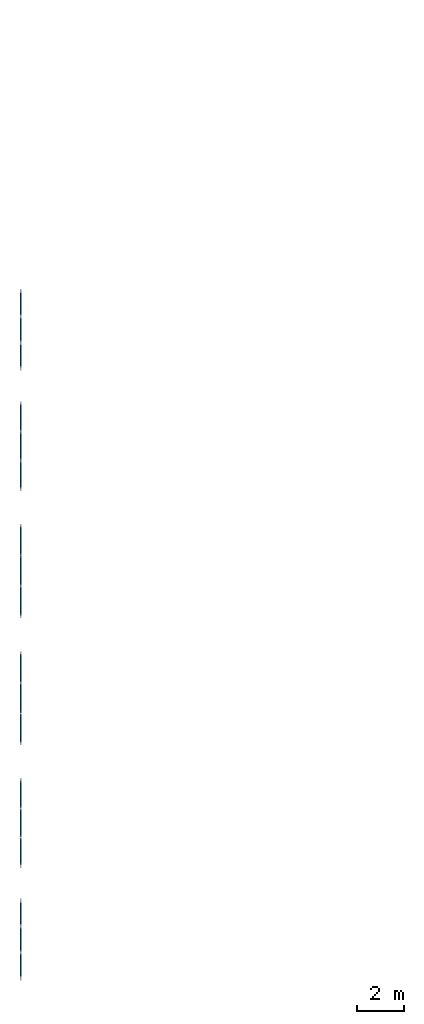
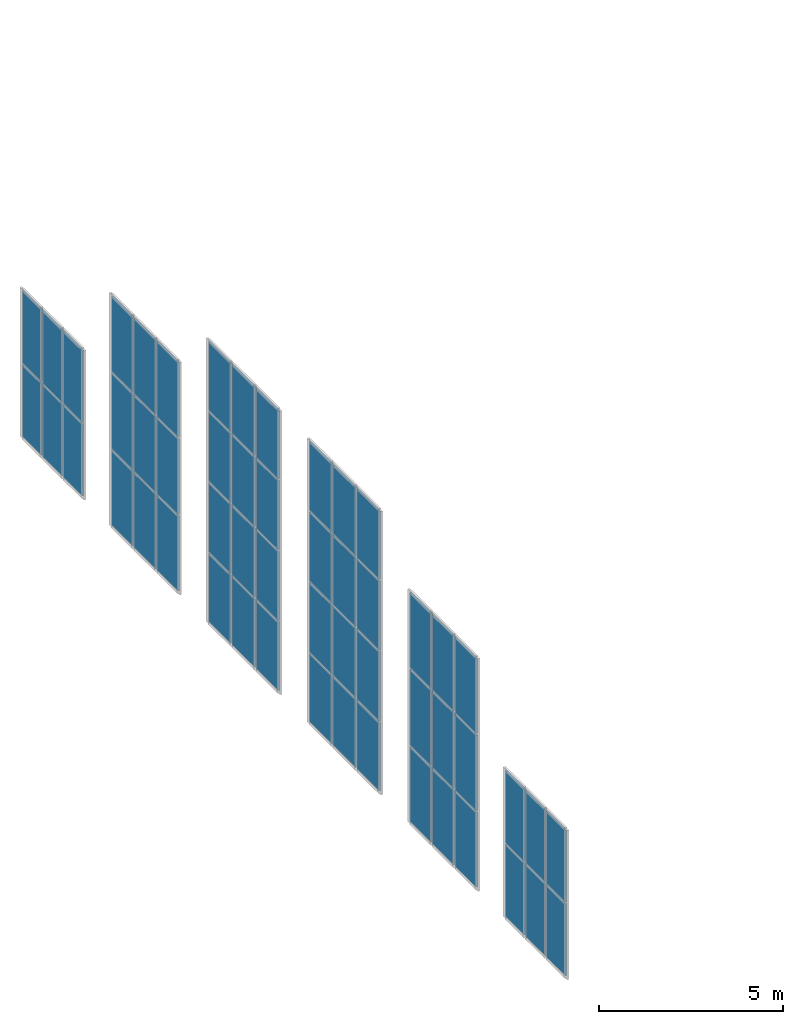
# One storey, part 10 of 19: 54 plates, 6 elements without a shape of their own.
"""IFC4 building model written with IfcOpenShell, lengths in metres."""

from ifc_helpers import new_model, si_unit, direction, frame, origin, origin_2d, place, context, subcontext, project, spatial, rectangle, extrude, material, layer, layer_set, type_object, element, aggregate, save


model = new_model("IFC4")

# Units and contexts
model_context = context("Model", 3, precision=1e-05, world=origin(), true_north=direction((0.0, 1.0)))
body_context = subcontext(model_context, "Body", "Model", "MODEL_VIEW")
ifc_project = project(units=[si_unit("LENGTHUNIT", "METRE"), si_unit("AREAUNIT", "SQUARE_METRE"), si_unit("VOLUMEUNIT", "CUBIC_METRE"), si_unit("PLANEANGLEUNIT", "RADIAN"), si_unit("MASSUNIT", "GRAM", prefix="KILO")], contexts=[model_context])

# Site, building, storey
site_placement = place(None, origin())
site = spatial("IfcSite", under=ifc_project, at=site_placement, CompositionType="ELEMENT")
building_placement = place(site_placement, origin())
building = spatial("IfcBuilding", under=site, at=building_placement, Name="Vermilion Court Aquatics Centre", CompositionType="ELEMENT")
storey_placement = place(building_placement, frame((0.0, 0.0, 19.89990234375)))
storey = spatial("IfcBuildingStorey", under=building, at=storey_placement, Name="L04", CompositionType="ELEMENT", Elevation=19.89990234375)

# Curtain wall, plates
ifc_material_1 = material(Name="Aluminium 6063-T5", Category="aluminium")
curtain_wall_type = type_object("IfcCurtainWallType", Name="Envelope curtain wall west gable upper runs", PredefinedType="NOTDEFINED", material=ifc_material_1)
curtain_wall_1_placement = place(storey_placement, origin())
curtain_wall_1 = element("IfcCurtainWall", 1, at=curtain_wall_1_placement, inside=storey, type_object=curtain_wall_type, Name="Gable glazing west 4.3", PredefinedType="NOTDEFINED")
ifc_material_2 = material(Name="Glazing", Category="glass")
ifc_layer = layer(ifc_material_2, 0.050048828125)
ifc_layer_set = layer_set([ifc_layer], Name="Envelope triple glazing panel 50")
plate_type = type_object("IfcPlateType", Name="Envelope triple glazing panel 50", PredefinedType="CURTAIN_PANEL", material=ifc_layer_set)
plate_1_placement = place(storey_placement, frame((14.125, 25.3984375, 0.06005859375), z_axis=(0.0, 0.0, 1.0), x_axis=(0.0, 1.0, 0.0)))
plate_1 = element("IfcPlate", 2, at=plate_1_placement, type_object=plate_type, Name="ECW4 panel 1.1", PredefinedType="CURTAIN_PANEL", context=body_context, shape_type="SweptSolid", body=[
    extrude(rectangle(XDim=1.03662109375, YDim=0.050048828125, at=origin_2d()), origin(), (0.0, 0.0, 1.0), 2.379150390625),
])
plate_2_placement = place(storey_placement, frame((14.125, 25.3984375, 2.49951171875), z_axis=(0.0, 0.0, 1.0), x_axis=(0.0, 1.0, 0.0)))
plate_2 = element("IfcPlate", 3, at=plate_2_placement, type_object=plate_type, Name="ECW4 panel 1.2", PredefinedType="CURTAIN_PANEL", context=body_context, shape_type="SweptSolid", body=[
    extrude(rectangle(XDim=1.03662109375, YDim=0.050048828125, at=origin_2d()), origin(), (0.0, 0.0, 1.0), 2.379150390625),
])
plate_3_placement = place(storey_placement, frame((14.125, 26.510009765625, 0.06005859375), z_axis=(0.0, 0.0, 1.0), x_axis=(0.0, 1.0, 0.0)))
plate_3 = element("IfcPlate", 4, at=plate_3_placement, type_object=plate_type, Name="ECW4 panel 2.1", PredefinedType="CURTAIN_PANEL", context=body_context, shape_type="SweptSolid", body=[
    extrude(rectangle(XDim=1.066650390625, YDim=0.050048828125, at=origin_2d()), origin(), (0.0, 0.0, 1.0), 2.379150390625),
])
plate_4_placement = place(storey_placement, frame((14.125, 26.510009765625, 2.49951171875), z_axis=(0.0, 0.0, 1.0), x_axis=(0.0, 1.0, 0.0)))
plate_4 = element("IfcPlate", 5, at=plate_4_placement, type_object=plate_type, Name="ECW4 panel 2.2", PredefinedType="CURTAIN_PANEL", context=body_context, shape_type="SweptSolid", body=[
    extrude(rectangle(XDim=1.066650390625, YDim=0.050048828125, at=origin_2d()), origin(), (0.0, 0.0, 1.0), 2.379150390625),
])
plate_5_placement = place(storey_placement, frame((14.125, 27.62158203125, 0.06005859375), z_axis=(0.0, 0.0, 1.0), x_axis=(0.0, 1.0, 0.0)))
plate_5 = element("IfcPlate", 6, at=plate_5_placement, type_object=plate_type, Name="ECW4 panel 3.1", PredefinedType="CURTAIN_PANEL", context=body_context, shape_type="SweptSolid", body=[
    extrude(rectangle(XDim=1.03662109375, YDim=0.050048828125, at=origin_2d()), origin(), (0.0, 0.0, 1.0), 2.379150390625),
])
plate_6_placement = place(storey_placement, frame((14.125, 27.62158203125, 2.49951171875), z_axis=(0.0, 0.0, 1.0), x_axis=(0.0, 1.0, 0.0)))
plate_6 = element("IfcPlate", 7, at=plate_6_placement, type_object=plate_type, Name="ECW4 panel 3.2", PredefinedType="CURTAIN_PANEL", context=body_context, shape_type="SweptSolid", body=[
    extrude(rectangle(XDim=1.03662109375, YDim=0.050048828125, at=origin_2d()), origin(), (0.0, 0.0, 1.0), 2.379150390625),
])
aggregate(curtain_wall_1, [plate_1, plate_2, plate_3, plate_4, plate_5, plate_6])

curtain_wall_2_placement = place(storey_placement, origin())
curtain_wall_2 = element("IfcCurtainWall", 8, at=curtain_wall_2_placement, inside=storey, type_object=curtain_wall_type, Name="Gable glazing west 5.3", PredefinedType="NOTDEFINED")
plate_7_placement = place(storey_placement, frame((14.125, 30.28662109375, 0.06005859375), z_axis=(0.0, 0.0, 1.0), x_axis=(0.0, 1.0, 0.0)))
plate_7 = element("IfcPlate", 9, at=plate_7_placement, type_object=plate_type, Name="ECW4 panel 1.1", PredefinedType="CURTAIN_PANEL", context=body_context, shape_type="SweptSolid", body=[
    extrude(rectangle(XDim=1.1533203125, YDim=0.050048828125, at=origin_2d()), origin(), (0.0, 0.0, 1.0), 2.47314453125),
])
plate_8_placement = place(storey_placement, frame((14.125, 30.28662109375, 2.59326171875), z_axis=(0.0, 0.0, 1.0), x_axis=(0.0, 1.0, 0.0)))
plate_8 = element("IfcPlate", 10, at=plate_8_placement, type_object=plate_type, Name="ECW4 panel 1.2", PredefinedType="CURTAIN_PANEL", context=body_context, shape_type="SweptSolid", body=[
    extrude(rectangle(XDim=1.1533203125, YDim=0.050048828125, at=origin_2d()), origin(), (0.0, 0.0, 1.0), 2.503173828125),
])
plate_9_placement = place(storey_placement, frame((14.125, 30.28662109375, 5.156494140625), z_axis=(0.0, 0.0, 1.0), x_axis=(0.0, 1.0, 0.0)))
plate_9 = element("IfcPlate", 11, at=plate_9_placement, type_object=plate_type, Name="ECW4 panel 1.3", PredefinedType="CURTAIN_PANEL", context=body_context, shape_type="SweptSolid", body=[
    extrude(rectangle(XDim=1.1533203125, YDim=0.050048828125, at=origin_2d()), origin(), (0.0, 0.0, 1.0), 2.47314453125),
])
plate_10_placement = place(storey_placement, frame((14.125, 31.514892578125, 0.06005859375), z_axis=(0.0, 0.0, 1.0), x_axis=(0.0, 1.0, 0.0)))
plate_10 = element("IfcPlate", 12, at=plate_10_placement, type_object=plate_type, Name="ECW4 panel 2.1", PredefinedType="CURTAIN_PANEL", context=body_context, shape_type="SweptSolid", body=[
    extrude(rectangle(XDim=1.183349609375, YDim=0.050048828125, at=origin_2d()), origin(), (0.0, 0.0, 1.0), 2.47314453125),
])
plate_11_placement = place(storey_placement, frame((14.125, 31.514892578125, 2.59326171875), z_axis=(0.0, 0.0, 1.0), x_axis=(0.0, 1.0, 0.0)))
plate_11 = element("IfcPlate", 13, at=plate_11_placement, type_object=plate_type, Name="ECW4 panel 2.2", PredefinedType="CURTAIN_PANEL", context=body_context, shape_type="SweptSolid", body=[
    extrude(rectangle(XDim=1.183349609375, YDim=0.050048828125, at=origin_2d()), origin(), (0.0, 0.0, 1.0), 2.503173828125),
])
plate_12_placement = place(storey_placement, frame((14.125, 31.514892578125, 5.156494140625), z_axis=(0.0, 0.0, 1.0), x_axis=(0.0, 1.0, 0.0)))
plate_12 = element("IfcPlate", 14, at=plate_12_placement, type_object=plate_type, Name="ECW4 panel 2.3", PredefinedType="CURTAIN_PANEL", context=body_context, shape_type="SweptSolid", body=[
    extrude(rectangle(XDim=1.183349609375, YDim=0.050048828125, at=origin_2d()), origin(), (0.0, 0.0, 1.0), 2.47314453125),
])
plate_13_placement = place(storey_placement, frame((14.125, 32.743408203125, 0.06005859375), z_axis=(0.0, 0.0, 1.0), x_axis=(0.0, 1.0, 0.0)))
plate_13 = element("IfcPlate", 15, at=plate_13_placement, type_object=plate_type, Name="ECW4 panel 3.1", PredefinedType="CURTAIN_PANEL", context=body_context, shape_type="SweptSolid", body=[
    extrude(rectangle(XDim=1.1533203125, YDim=0.050048828125, at=origin_2d()), origin(), (0.0, 0.0, 1.0), 2.47314453125),
])
plate_14_placement = place(storey_placement, frame((14.125, 32.743408203125, 2.59326171875), z_axis=(0.0, 0.0, 1.0), x_axis=(0.0, 1.0, 0.0)))
plate_14 = element("IfcPlate", 16, at=plate_14_placement, type_object=plate_type, Name="ECW4 panel 3.2", PredefinedType="CURTAIN_PANEL", context=body_context, shape_type="SweptSolid", body=[
    extrude(rectangle(XDim=1.1533203125, YDim=0.050048828125, at=origin_2d()), origin(), (0.0, 0.0, 1.0), 2.503173828125),
])
plate_15_placement = place(storey_placement, frame((14.125, 32.743408203125, 5.156494140625), z_axis=(0.0, 0.0, 1.0), x_axis=(0.0, 1.0, 0.0)))
plate_15 = element("IfcPlate", 17, at=plate_15_placement, type_object=plate_type, Name="ECW4 panel 3.3", PredefinedType="CURTAIN_PANEL", context=body_context, shape_type="SweptSolid", body=[
    extrude(rectangle(XDim=1.1533203125, YDim=0.050048828125, at=origin_2d()), origin(), (0.0, 0.0, 1.0), 2.47314453125),
])
aggregate(curtain_wall_2, [plate_7, plate_8, plate_9, plate_10, plate_11, plate_12, plate_13, plate_14, plate_15])

curtain_wall_3_placement = place(storey_placement, origin())
curtain_wall_3 = element("IfcCurtainWall", 18, at=curtain_wall_3_placement, inside=storey, type_object=curtain_wall_type, Name="Gable glazing west 6.3", PredefinedType="NOTDEFINED")
plate_16_placement = place(storey_placement, frame((14.125, 35.57666015625, 0.06005859375), z_axis=(0.0, 0.0, 1.0), x_axis=(0.0, 1.0, 0.0)))
plate_16 = element("IfcPlate", 19, at=plate_16_placement, type_object=plate_type, Name="ECW4 panel 1.1", PredefinedType="CURTAIN_PANEL", context=body_context, shape_type="SweptSolid", body=[
    extrude(rectangle(XDim=1.21337890625, YDim=0.050048828125, at=origin_2d()), origin(), (0.0, 0.0, 1.0), 2.255126953125),
])
plate_17_placement = place(storey_placement, frame((14.125, 35.57666015625, 2.375), z_axis=(0.0, 0.0, 1.0), x_axis=(0.0, 1.0, 0.0)))
plate_17 = element("IfcPlate", 20, at=plate_17_placement, type_object=plate_type, Name="ECW4 panel 1.2", PredefinedType="CURTAIN_PANEL", context=body_context, shape_type="SweptSolid", body=[
    extrude(rectangle(XDim=1.21337890625, YDim=0.050048828125, at=origin_2d()), origin(), (0.0, 0.0, 1.0), 2.284912109375),
])
plate_18_placement = place(storey_placement, frame((14.125, 35.57666015625, 4.72021484375), z_axis=(0.0, 0.0, 1.0), x_axis=(0.0, 1.0, 0.0)))
plate_18 = element("IfcPlate", 21, at=plate_18_placement, type_object=plate_type, Name="ECW4 panel 1.3", PredefinedType="CURTAIN_PANEL", context=body_context, shape_type="SweptSolid", body=[
    extrude(rectangle(XDim=1.21337890625, YDim=0.050048828125, at=origin_2d()), origin(), (0.0, 0.0, 1.0), 2.284912109375),
])
plate_19_placement = place(storey_placement, frame((14.125, 35.57666015625, 7.06494140625), z_axis=(0.0, 0.0, 1.0), x_axis=(0.0, 1.0, 0.0)))
plate_19 = element("IfcPlate", 22, at=plate_19_placement, type_object=plate_type, Name="ECW4 panel 1.4", PredefinedType="CURTAIN_PANEL", context=body_context, shape_type="SweptSolid", body=[
    extrude(rectangle(XDim=1.21337890625, YDim=0.050048828125, at=origin_2d()), origin(), (0.0, 0.0, 1.0), 2.255126953125),
])
plate_20_placement = place(storey_placement, frame((14.125, 36.864990234375, 0.06005859375), z_axis=(0.0, 0.0, 1.0), x_axis=(0.0, 1.0, 0.0)))
plate_20 = element("IfcPlate", 23, at=plate_20_placement, type_object=plate_type, Name="ECW4 panel 2.1", PredefinedType="CURTAIN_PANEL", context=body_context, shape_type="SweptSolid", body=[
    extrude(rectangle(XDim=1.243408203125, YDim=0.050048828125, at=origin_2d()), origin(), (0.0, 0.0, 1.0), 2.255126953125),
])
plate_21_placement = place(storey_placement, frame((14.125, 36.864990234375, 2.375), z_axis=(0.0, 0.0, 1.0), x_axis=(0.0, 1.0, 0.0)))
plate_21 = element("IfcPlate", 24, at=plate_21_placement, type_object=plate_type, Name="ECW4 panel 2.2", PredefinedType="CURTAIN_PANEL", context=body_context, shape_type="SweptSolid", body=[
    extrude(rectangle(XDim=1.243408203125, YDim=0.050048828125, at=origin_2d()), origin(), (0.0, 0.0, 1.0), 2.284912109375),
])
plate_22_placement = place(storey_placement, frame((14.125, 36.864990234375, 4.72021484375), z_axis=(0.0, 0.0, 1.0), x_axis=(0.0, 1.0, 0.0)))
plate_22 = element("IfcPlate", 25, at=plate_22_placement, type_object=plate_type, Name="ECW4 panel 2.3", PredefinedType="CURTAIN_PANEL", context=body_context, shape_type="SweptSolid", body=[
    extrude(rectangle(XDim=1.243408203125, YDim=0.050048828125, at=origin_2d()), origin(), (0.0, 0.0, 1.0), 2.284912109375),
])
plate_23_placement = place(storey_placement, frame((14.125, 36.864990234375, 7.06494140625), z_axis=(0.0, 0.0, 1.0), x_axis=(0.0, 1.0, 0.0)))
plate_23 = element("IfcPlate", 26, at=plate_23_placement, type_object=plate_type, Name="ECW4 panel 2.4", PredefinedType="CURTAIN_PANEL", context=body_context, shape_type="SweptSolid", body=[
    extrude(rectangle(XDim=1.243408203125, YDim=0.050048828125, at=origin_2d()), origin(), (0.0, 0.0, 1.0), 2.255126953125),
])
plate_24_placement = place(storey_placement, frame((14.125, 38.1533203125, 0.06005859375), z_axis=(0.0, 0.0, 1.0), x_axis=(0.0, 1.0, 0.0)))
plate_24 = element("IfcPlate", 27, at=plate_24_placement, type_object=plate_type, Name="ECW4 panel 3.1", PredefinedType="CURTAIN_PANEL", context=body_context, shape_type="SweptSolid", body=[
    extrude(rectangle(XDim=1.21337890625, YDim=0.050048828125, at=origin_2d()), origin(), (0.0, 0.0, 1.0), 2.255126953125),
])
plate_25_placement = place(storey_placement, frame((14.125, 38.1533203125, 2.375), z_axis=(0.0, 0.0, 1.0), x_axis=(0.0, 1.0, 0.0)))
plate_25 = element("IfcPlate", 28, at=plate_25_placement, type_object=plate_type, Name="ECW4 panel 3.2", PredefinedType="CURTAIN_PANEL", context=body_context, shape_type="SweptSolid", body=[
    extrude(rectangle(XDim=1.21337890625, YDim=0.050048828125, at=origin_2d()), origin(), (0.0, 0.0, 1.0), 2.284912109375),
])
plate_26_placement = place(storey_placement, frame((14.125, 38.1533203125, 4.72021484375), z_axis=(0.0, 0.0, 1.0), x_axis=(0.0, 1.0, 0.0)))
plate_26 = element("IfcPlate", 29, at=plate_26_placement, type_object=plate_type, Name="ECW4 panel 3.3", PredefinedType="CURTAIN_PANEL", context=body_context, shape_type="SweptSolid", body=[
    extrude(rectangle(XDim=1.21337890625, YDim=0.050048828125, at=origin_2d()), origin(), (0.0, 0.0, 1.0), 2.284912109375),
])
plate_27_placement = place(storey_placement, frame((14.125, 38.1533203125, 7.06494140625), z_axis=(0.0, 0.0, 1.0), x_axis=(0.0, 1.0, 0.0)))
plate_27 = element("IfcPlate", 30, at=plate_27_placement, type_object=plate_type, Name="ECW4 panel 3.4", PredefinedType="CURTAIN_PANEL", context=body_context, shape_type="SweptSolid", body=[
    extrude(rectangle(XDim=1.21337890625, YDim=0.050048828125, at=origin_2d()), origin(), (0.0, 0.0, 1.0), 2.255126953125),
])
aggregate(curtain_wall_3, [plate_16, plate_17, plate_18, plate_19, plate_20, plate_21, plate_22, plate_23, plate_24, plate_25, plate_26, plate_27])

curtain_wall_4_placement = place(storey_placement, origin())
curtain_wall_4 = element("IfcCurtainWall", 31, at=curtain_wall_4_placement, inside=storey, type_object=curtain_wall_type, Name="Gable glazing west 7.3", PredefinedType="NOTDEFINED")
plate_28_placement = place(storey_placement, frame((14.125, 41.046630859375, 0.06005859375), z_axis=(0.0, 0.0, 1.0), x_axis=(0.0, 1.0, 0.0)))
plate_28 = element("IfcPlate", 32, at=plate_28_placement, type_object=plate_type, Name="ECW4 panel 1.1", PredefinedType="CURTAIN_PANEL", context=body_context, shape_type="SweptSolid", body=[
    extrude(rectangle(XDim=1.21337890625, YDim=0.050048828125, at=origin_2d()), origin(), (0.0, 0.0, 1.0), 2.255126953125),
])
plate_29_placement = place(storey_placement, frame((14.125, 41.046630859375, 2.375), z_axis=(0.0, 0.0, 1.0), x_axis=(0.0, 1.0, 0.0)))
plate_29 = element("IfcPlate", 33, at=plate_29_placement, type_object=plate_type, Name="ECW4 panel 1.2", PredefinedType="CURTAIN_PANEL", context=body_context, shape_type="SweptSolid", body=[
    extrude(rectangle(XDim=1.21337890625, YDim=0.050048828125, at=origin_2d()), origin(), (0.0, 0.0, 1.0), 2.284912109375),
])
plate_30_placement = place(storey_placement, frame((14.125, 41.046630859375, 4.72021484375), z_axis=(0.0, 0.0, 1.0), x_axis=(0.0, 1.0, 0.0)))
plate_30 = element("IfcPlate", 34, at=plate_30_placement, type_object=plate_type, Name="ECW4 panel 1.3", PredefinedType="CURTAIN_PANEL", context=body_context, shape_type="SweptSolid", body=[
    extrude(rectangle(XDim=1.21337890625, YDim=0.050048828125, at=origin_2d()), origin(), (0.0, 0.0, 1.0), 2.284912109375),
])
plate_31_placement = place(storey_placement, frame((14.125, 41.046630859375, 7.06494140625), z_axis=(0.0, 0.0, 1.0), x_axis=(0.0, 1.0, 0.0)))
plate_31 = element("IfcPlate", 35, at=plate_31_placement, type_object=plate_type, Name="ECW4 panel 1.4", PredefinedType="CURTAIN_PANEL", context=body_context, shape_type="SweptSolid", body=[
    extrude(rectangle(XDim=1.21337890625, YDim=0.050048828125, at=origin_2d()), origin(), (0.0, 0.0, 1.0), 2.255126953125),
])
plate_32_placement = place(storey_placement, frame((14.125, 42.3349609375, 0.06005859375), z_axis=(0.0, 0.0, 1.0), x_axis=(0.0, 1.0, 0.0)))
plate_32 = element("IfcPlate", 36, at=plate_32_placement, type_object=plate_type, Name="ECW4 panel 2.1", PredefinedType="CURTAIN_PANEL", context=body_context, shape_type="SweptSolid", body=[
    extrude(rectangle(XDim=1.243408203125, YDim=0.050048828125, at=origin_2d()), origin(), (0.0, 0.0, 1.0), 2.255126953125),
])
plate_33_placement = place(storey_placement, frame((14.125, 42.3349609375, 2.375), z_axis=(0.0, 0.0, 1.0), x_axis=(0.0, 1.0, 0.0)))
plate_33 = element("IfcPlate", 37, at=plate_33_placement, type_object=plate_type, Name="ECW4 panel 2.2", PredefinedType="CURTAIN_PANEL", context=body_context, shape_type="SweptSolid", body=[
    extrude(rectangle(XDim=1.243408203125, YDim=0.050048828125, at=origin_2d()), origin(), (0.0, 0.0, 1.0), 2.284912109375),
])
plate_34_placement = place(storey_placement, frame((14.125, 42.3349609375, 4.72021484375), z_axis=(0.0, 0.0, 1.0), x_axis=(0.0, 1.0, 0.0)))
plate_34 = element("IfcPlate", 38, at=plate_34_placement, type_object=plate_type, Name="ECW4 panel 2.3", PredefinedType="CURTAIN_PANEL", context=body_context, shape_type="SweptSolid", body=[
    extrude(rectangle(XDim=1.243408203125, YDim=0.050048828125, at=origin_2d()), origin(), (0.0, 0.0, 1.0), 2.284912109375),
])
plate_35_placement = place(storey_placement, frame((14.125, 42.3349609375, 7.06494140625), z_axis=(0.0, 0.0, 1.0), x_axis=(0.0, 1.0, 0.0)))
plate_35 = element("IfcPlate", 39, at=plate_35_placement, type_object=plate_type, Name="ECW4 panel 2.4", PredefinedType="CURTAIN_PANEL", context=body_context, shape_type="SweptSolid", body=[
    extrude(rectangle(XDim=1.243408203125, YDim=0.050048828125, at=origin_2d()), origin(), (0.0, 0.0, 1.0), 2.255126953125),
])
plate_36_placement = place(storey_placement, frame((14.125, 43.623291015625, 0.06005859375), z_axis=(0.0, 0.0, 1.0), x_axis=(0.0, 1.0, 0.0)))
plate_36 = element("IfcPlate", 40, at=plate_36_placement, type_object=plate_type, Name="ECW4 panel 3.1", PredefinedType="CURTAIN_PANEL", context=body_context, shape_type="SweptSolid", body=[
    extrude(rectangle(XDim=1.21337890625, YDim=0.050048828125, at=origin_2d()), origin(), (0.0, 0.0, 1.0), 2.255126953125),
])
plate_37_placement = place(storey_placement, frame((14.125, 43.623291015625, 2.375), z_axis=(0.0, 0.0, 1.0), x_axis=(0.0, 1.0, 0.0)))
plate_37 = element("IfcPlate", 41, at=plate_37_placement, type_object=plate_type, Name="ECW4 panel 3.2", PredefinedType="CURTAIN_PANEL", context=body_context, shape_type="SweptSolid", body=[
    extrude(rectangle(XDim=1.21337890625, YDim=0.050048828125, at=origin_2d()), origin(), (0.0, 0.0, 1.0), 2.284912109375),
])
plate_38_placement = place(storey_placement, frame((14.125, 43.623291015625, 4.72021484375), z_axis=(0.0, 0.0, 1.0), x_axis=(0.0, 1.0, 0.0)))
plate_38 = element("IfcPlate", 42, at=plate_38_placement, type_object=plate_type, Name="ECW4 panel 3.3", PredefinedType="CURTAIN_PANEL", context=body_context, shape_type="SweptSolid", body=[
    extrude(rectangle(XDim=1.21337890625, YDim=0.050048828125, at=origin_2d()), origin(), (0.0, 0.0, 1.0), 2.284912109375),
])
plate_39_placement = place(storey_placement, frame((14.125, 43.623291015625, 7.06494140625), z_axis=(0.0, 0.0, 1.0), x_axis=(0.0, 1.0, 0.0)))
plate_39 = element("IfcPlate", 43, at=plate_39_placement, type_object=plate_type, Name="ECW4 panel 3.4", PredefinedType="CURTAIN_PANEL", context=body_context, shape_type="SweptSolid", body=[
    extrude(rectangle(XDim=1.21337890625, YDim=0.050048828125, at=origin_2d()), origin(), (0.0, 0.0, 1.0), 2.255126953125),
])
aggregate(curtain_wall_4, [plate_28, plate_29, plate_30, plate_31, plate_32, plate_33, plate_34, plate_35, plate_36, plate_37, plate_38, plate_39])

curtain_wall_5_placement = place(storey_placement, origin())
curtain_wall_5 = element("IfcCurtainWall", 44, at=curtain_wall_5_placement, inside=storey, type_object=curtain_wall_type, Name="Gable glazing west 8.3", PredefinedType="NOTDEFINED")
plate_40_placement = place(storey_placement, frame((14.125, 46.456787109375, 0.06005859375), z_axis=(0.0, 0.0, 1.0), x_axis=(0.0, 1.0, 0.0)))
plate_40 = element("IfcPlate", 45, at=plate_40_placement, type_object=plate_type, Name="ECW4 panel 1.1", PredefinedType="CURTAIN_PANEL", context=body_context, shape_type="SweptSolid", body=[
    extrude(rectangle(XDim=1.1533203125, YDim=0.050048828125, at=origin_2d()), origin(), (0.0, 0.0, 1.0), 2.47314453125),
])
plate_41_placement = place(storey_placement, frame((14.125, 46.456787109375, 2.59326171875), z_axis=(0.0, 0.0, 1.0), x_axis=(0.0, 1.0, 0.0)))
plate_41 = element("IfcPlate", 46, at=plate_41_placement, type_object=plate_type, Name="ECW4 panel 1.2", PredefinedType="CURTAIN_PANEL", context=body_context, shape_type="SweptSolid", body=[
    extrude(rectangle(XDim=1.1533203125, YDim=0.050048828125, at=origin_2d()), origin(), (0.0, 0.0, 1.0), 2.503173828125),
])
plate_42_placement = place(storey_placement, frame((14.125, 46.456787109375, 5.156494140625), z_axis=(0.0, 0.0, 1.0), x_axis=(0.0, 1.0, 0.0)))
plate_42 = element("IfcPlate", 47, at=plate_42_placement, type_object=plate_type, Name="ECW4 panel 1.3", PredefinedType="CURTAIN_PANEL", context=body_context, shape_type="SweptSolid", body=[
    extrude(rectangle(XDim=1.1533203125, YDim=0.050048828125, at=origin_2d()), origin(), (0.0, 0.0, 1.0), 2.47314453125),
])
plate_43_placement = place(storey_placement, frame((14.125, 47.68505859375, 0.06005859375), z_axis=(0.0, 0.0, 1.0), x_axis=(0.0, 1.0, 0.0)))
plate_43 = element("IfcPlate", 48, at=plate_43_placement, type_object=plate_type, Name="ECW4 panel 2.1", PredefinedType="CURTAIN_PANEL", context=body_context, shape_type="SweptSolid", body=[
    extrude(rectangle(XDim=1.183349609375, YDim=0.050048828125, at=origin_2d()), origin(), (0.0, 0.0, 1.0), 2.47314453125),
])
plate_44_placement = place(storey_placement, frame((14.125, 47.68505859375, 2.59326171875), z_axis=(0.0, 0.0, 1.0), x_axis=(0.0, 1.0, 0.0)))
plate_44 = element("IfcPlate", 49, at=plate_44_placement, type_object=plate_type, Name="ECW4 panel 2.2", PredefinedType="CURTAIN_PANEL", context=body_context, shape_type="SweptSolid", body=[
    extrude(rectangle(XDim=1.183349609375, YDim=0.050048828125, at=origin_2d()), origin(), (0.0, 0.0, 1.0), 2.503173828125),
])
plate_45_placement = place(storey_placement, frame((14.125, 47.68505859375, 5.156494140625), z_axis=(0.0, 0.0, 1.0), x_axis=(0.0, 1.0, 0.0)))
plate_45 = element("IfcPlate", 50, at=plate_45_placement, type_object=plate_type, Name="ECW4 panel 2.3", PredefinedType="CURTAIN_PANEL", context=body_context, shape_type="SweptSolid", body=[
    extrude(rectangle(XDim=1.183349609375, YDim=0.050048828125, at=origin_2d()), origin(), (0.0, 0.0, 1.0), 2.47314453125),
])
plate_46_placement = place(storey_placement, frame((14.125, 48.913330078125, 0.06005859375), z_axis=(0.0, 0.0, 1.0), x_axis=(0.0, 1.0, 0.0)))
plate_46 = element("IfcPlate", 51, at=plate_46_placement, type_object=plate_type, Name="ECW4 panel 3.1", PredefinedType="CURTAIN_PANEL", context=body_context, shape_type="SweptSolid", body=[
    extrude(rectangle(XDim=1.1533203125, YDim=0.050048828125, at=origin_2d()), origin(), (0.0, 0.0, 1.0), 2.47314453125),
])
plate_47_placement = place(storey_placement, frame((14.125, 48.913330078125, 2.59326171875), z_axis=(0.0, 0.0, 1.0), x_axis=(0.0, 1.0, 0.0)))
plate_47 = element("IfcPlate", 52, at=plate_47_placement, type_object=plate_type, Name="ECW4 panel 3.2", PredefinedType="CURTAIN_PANEL", context=body_context, shape_type="SweptSolid", body=[
    extrude(rectangle(XDim=1.1533203125, YDim=0.050048828125, at=origin_2d()), origin(), (0.0, 0.0, 1.0), 2.503173828125),
])
plate_48_placement = place(storey_placement, frame((14.125, 48.913330078125, 5.156494140625), z_axis=(0.0, 0.0, 1.0), x_axis=(0.0, 1.0, 0.0)))
plate_48 = element("IfcPlate", 53, at=plate_48_placement, type_object=plate_type, Name="ECW4 panel 3.3", PredefinedType="CURTAIN_PANEL", context=body_context, shape_type="SweptSolid", body=[
    extrude(rectangle(XDim=1.1533203125, YDim=0.050048828125, at=origin_2d()), origin(), (0.0, 0.0, 1.0), 2.47314453125),
])
aggregate(curtain_wall_5, [plate_40, plate_41, plate_42, plate_43, plate_44, plate_45, plate_46, plate_47, plate_48])

curtain_wall_6_placement = place(storey_placement, origin())
curtain_wall_6 = element("IfcCurtainWall", 54, at=curtain_wall_6_placement, inside=storey, type_object=curtain_wall_type, Name="Gable glazing west 9.3", PredefinedType="NOTDEFINED")
plate_49_placement = place(storey_placement, frame((14.125, 51.578369140625, 0.06005859375), z_axis=(0.0, 0.0, 1.0), x_axis=(0.0, 1.0, 0.0)))
plate_49 = element("IfcPlate", 55, at=plate_49_placement, type_object=plate_type, Name="ECW4 panel 1.1", PredefinedType="CURTAIN_PANEL", context=body_context, shape_type="SweptSolid", body=[
    extrude(rectangle(XDim=1.03662109375, YDim=0.050048828125, at=origin_2d()), origin(), (0.0, 0.0, 1.0), 2.379150390625),
])
plate_50_placement = place(storey_placement, frame((14.125, 51.578369140625, 2.49951171875), z_axis=(0.0, 0.0, 1.0), x_axis=(0.0, 1.0, 0.0)))
plate_50 = element("IfcPlate", 56, at=plate_50_placement, type_object=plate_type, Name="ECW4 panel 1.2", PredefinedType="CURTAIN_PANEL", context=body_context, shape_type="SweptSolid", body=[
    extrude(rectangle(XDim=1.03662109375, YDim=0.050048828125, at=origin_2d()), origin(), (0.0, 0.0, 1.0), 2.379150390625),
])
plate_51_placement = place(storey_placement, frame((14.125, 52.68994140625, 0.06005859375), z_axis=(0.0, 0.0, 1.0), x_axis=(0.0, 1.0, 0.0)))
plate_51 = element("IfcPlate", 57, at=plate_51_placement, type_object=plate_type, Name="ECW4 panel 2.1", PredefinedType="CURTAIN_PANEL", context=body_context, shape_type="SweptSolid", body=[
    extrude(rectangle(XDim=1.066650390625, YDim=0.050048828125, at=origin_2d()), origin(), (0.0, 0.0, 1.0), 2.379150390625),
])
plate_52_placement = place(storey_placement, frame((14.125, 52.68994140625, 2.49951171875), z_axis=(0.0, 0.0, 1.0), x_axis=(0.0, 1.0, 0.0)))
plate_52 = element("IfcPlate", 58, at=plate_52_placement, type_object=plate_type, Name="ECW4 panel 2.2", PredefinedType="CURTAIN_PANEL", context=body_context, shape_type="SweptSolid", body=[
    extrude(rectangle(XDim=1.066650390625, YDim=0.050048828125, at=origin_2d()), origin(), (0.0, 0.0, 1.0), 2.379150390625),
])
plate_53_placement = place(storey_placement, frame((14.125, 53.8017578125, 0.06005859375), z_axis=(0.0, 0.0, 1.0), x_axis=(0.0, 1.0, 0.0)))
plate_53 = element("IfcPlate", 59, at=plate_53_placement, type_object=plate_type, Name="ECW4 panel 3.1", PredefinedType="CURTAIN_PANEL", context=body_context, shape_type="SweptSolid", body=[
    extrude(rectangle(XDim=1.03662109375, YDim=0.050048828125, at=origin_2d()), origin(), (0.0, 0.0, 1.0), 2.379150390625),
])
plate_54_placement = place(storey_placement, frame((14.125, 53.8017578125, 2.49951171875), z_axis=(0.0, 0.0, 1.0), x_axis=(0.0, 1.0, 0.0)))
plate_54 = element("IfcPlate", 60, at=plate_54_placement, type_object=plate_type, Name="ECW4 panel 3.2", PredefinedType="CURTAIN_PANEL", context=body_context, shape_type="SweptSolid", body=[
    extrude(rectangle(XDim=1.03662109375, YDim=0.050048828125, at=origin_2d()), origin(), (0.0, 0.0, 1.0), 2.379150390625),
])
aggregate(curtain_wall_6, [plate_49, plate_50, plate_51, plate_52, plate_53, plate_54])

save(model, "model.ifc")
